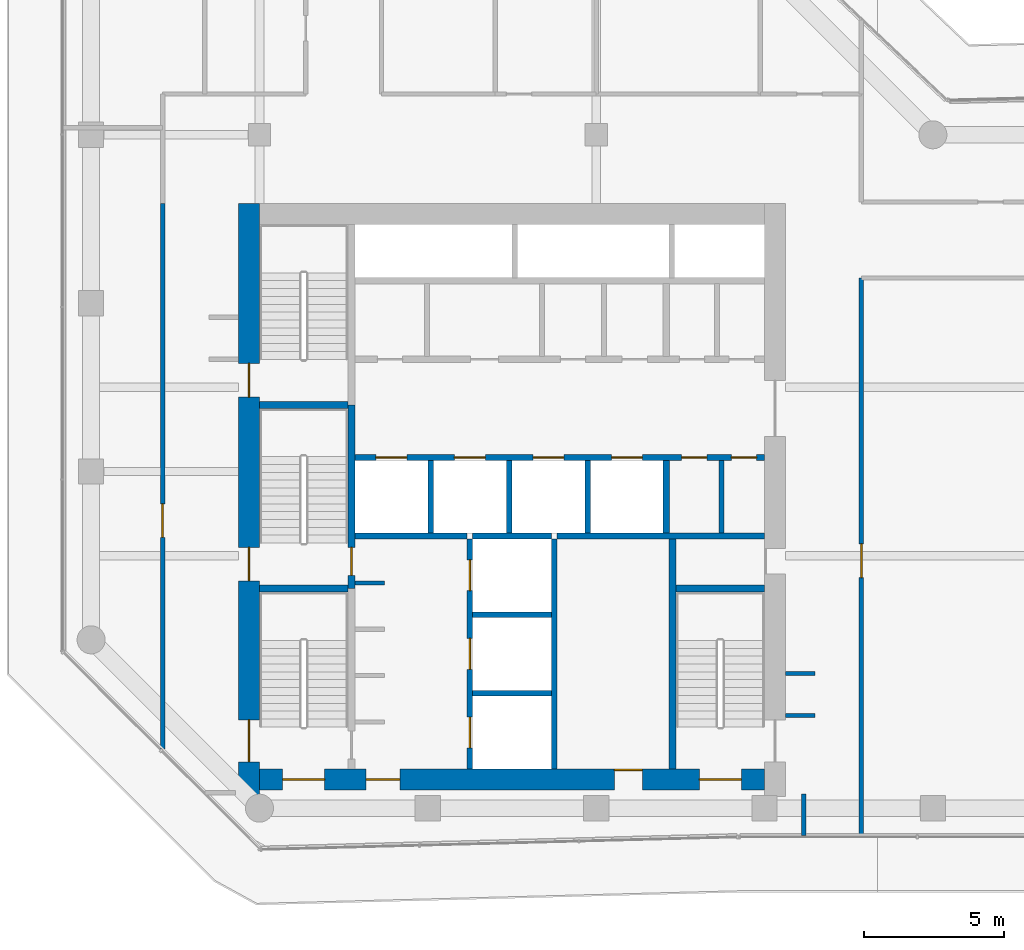
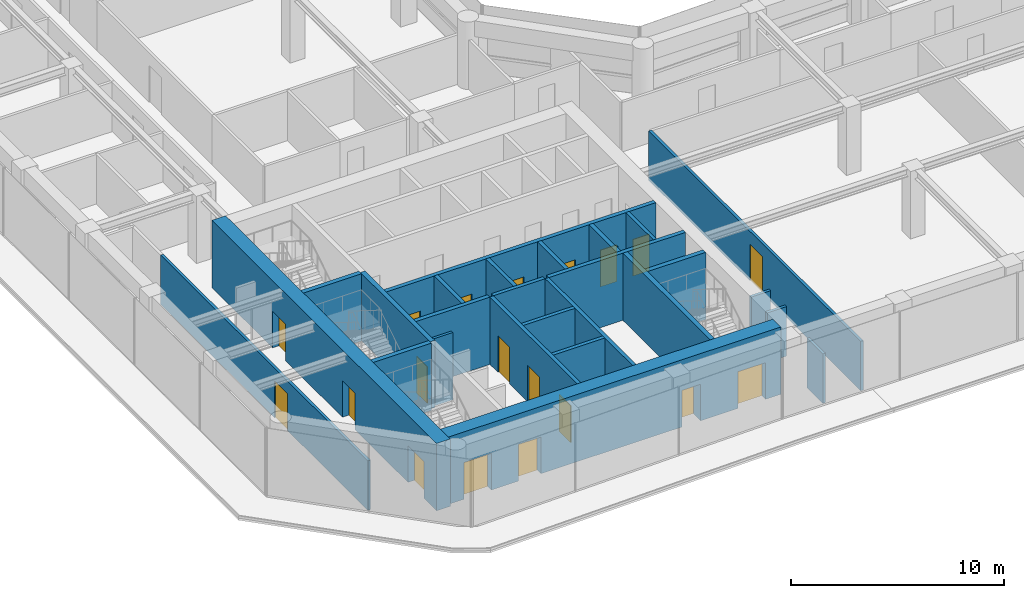
# One storey, part 18 of 23: 26 walls, 19 doors, 19 openings.
"""IFC4 building model written with IfcOpenShell, lengths in metres."""

from ifc_helpers import new_model, si_unit, direction, frame, frame_2d, origin, place, context, subcontext, project, spatial, rectangle, extrude, material, layer, layer_set, type_object, element, fill, save


model = new_model("IFC4")

# Units and contexts
model_context = context("Model", 3, precision=1e-05, world=origin(), true_north=direction((0.0, 1.0)))
body_context = subcontext(model_context, "Body", "Model", "MODEL_VIEW")
ifc_project = project(units=[si_unit("LENGTHUNIT", "METRE"), si_unit("AREAUNIT", "SQUARE_METRE"), si_unit("VOLUMEUNIT", "CUBIC_METRE"), si_unit("PLANEANGLEUNIT", "RADIAN"), si_unit("MASSUNIT", "GRAM", prefix="KILO")], contexts=[model_context])

# Site, building, storey
site_placement = place(None, origin())
site = spatial("IfcSite", under=ifc_project, at=site_placement, CompositionType="ELEMENT")
building_placement = place(site_placement, origin())
building = spatial("IfcBuilding", under=site, at=building_placement, Name="Welwitschia Terrace Campus", CompositionType="ELEMENT")
storey_placement = place(building_placement, frame((0.0, 0.0, 104.60009765625)))
storey = spatial("IfcBuildingStorey", under=building, at=storey_placement, Name="L23", CompositionType="ELEMENT", Elevation=104.60009765625)

# Walls
ifc_material_1 = material(Name="Concrete C32/40", Category="concrete")
ifc_layer_1 = layer(ifc_material_1, 0.175048828125)
ifc_layer_set_1 = layer_set([ifc_layer_1], Name="Concrete C32/40")
wall_type_1 = type_object("IfcWallType", Name="Core partition 175 Concrete C32/40", PredefinedType="PARTITIONING", material=ifc_layer_set_1)
wall_1_placement = place(storey_placement, frame((22.469970703125, 13.800048828125, 0.0), z_axis=(0.0, 0.0, 1.0), x_axis=(0.0, 1.0, 0.0)))
element("IfcWall", 1, at=wall_1_placement, inside=storey, type_object=wall_type_1, Name="Core partition", PredefinedType="PARTITIONING", context=body_context, shape_type="SweptSolid", body=[
    extrude(rectangle(XDim=2.599853515625, YDim=0.175048828125, at=frame_2d((1.2998046875, 0.0))), origin(), (0.0, 0.0, 1.0), 3.849853515625),
])
ifc_material_2 = material(Name="Concrete C32/40", Category="concrete")
ifc_layer_2 = layer(ifc_material_2, 0.22509765625)
ifc_layer_set_2 = layer_set([ifc_layer_2], Name="Concrete C32/40")
wall_type_2 = type_object("IfcWallType", Name="Core partition 225 Concrete C32/40", PredefinedType="PARTITIONING", material=ifc_layer_set_2)
wall_2_placement = place(storey_placement, frame((9.39990234375, 13.699951171875, 0.0), z_axis=(0.0, 0.0, 1.0), x_axis=(1.0, 0.0, 0.0)))
element("IfcWall", 2, at=wall_2_placement, inside=storey, type_object=wall_type_2, Name="Shaft wall", PredefinedType="PARTITIONING", context=body_context, shape_type="SweptSolid", body=[
    extrude(rectangle(XDim=4.0, YDim=0.22509765625, at=frame_2d((2.0, 0.0))), origin(), (0.0, 0.0, 1.0), 3.849853515625),
])
wall_3_placement = place(storey_placement, frame((16.60009765625, 13.699951171875, 0.0), z_axis=(0.0, 0.0, 1.0), x_axis=(1.0, 0.0, 0.0)))
element("IfcWall", 3, at=wall_3_placement, inside=storey, type_object=wall_type_2, Name="Shaft wall", PredefinedType="PARTITIONING", context=body_context, shape_type="SweptSolid", body=[
    extrude(rectangle(XDim=7.39990234375, YDim=0.22509765625, at=frame_2d((3.699951171875, 0.0))), origin(), (0.0, 0.0, 1.0), 3.849853515625),
])

# Wall, openings, doors
wall_4_placement = place(storey_placement, frame((9.39990234375, 16.5, 0.0), z_axis=(0.0, 0.0, 1.0), x_axis=(1.0, 0.0, 0.0)))
wall_4 = element("IfcWall", 4, at=wall_4_placement, inside=storey, type_object=wall_type_2, Name="Shaft wall", PredefinedType="PARTITIONING", context=body_context, shape_type="SweptSolid", body=[
    extrude(rectangle(XDim=14.60009765625, YDim=0.22509765625, at=frame_2d((7.300048828125, 0.0))), origin(), (0.0, 0.0, 1.0), 3.849853515625),
])
opening_1_placement = place(wall_4_placement, frame((0.75, 0.0, 0.0)))
opening_1 = element("IfcOpeningElement", 5, at=opening_1_placement, cuts=wall_4, Name="Opening LD", PredefinedType="OPENING", context=body_context, shape_type="SweptSolid", body=[
    extrude(rectangle(XDim=1.10009765625, YDim=2.10009765625, at=frame_2d((0.550048828125, 1.050048828125))), frame((0.0, 0.12255859375, 0.0), z_axis=(0.0, -1.0, 0.0), x_axis=(1.0, 0.0, 0.0)), (0.0, 0.0, 1.0), 0.2451171875),
])
opening_2_placement = place(wall_4_placement, frame((3.550048828125, 0.0, 0.0)))
opening_2 = element("IfcOpeningElement", 6, at=opening_2_placement, cuts=wall_4, Name="Opening LD", PredefinedType="OPENING", context=body_context, shape_type="SweptSolid", body=[
    extrude(rectangle(XDim=1.10009765625, YDim=2.10009765625, at=frame_2d((0.550048828125, 1.050048828125))), frame((0.0, 0.12255859375, 0.0), z_axis=(0.0, -1.0, 0.0), x_axis=(1.0, 0.0, 0.0)), (0.0, 0.0, 1.0), 0.2451171875),
])
opening_3_placement = place(wall_4_placement, frame((6.35009765625, 0.0, 0.0)))
opening_3 = element("IfcOpeningElement", 7, at=opening_3_placement, cuts=wall_4, Name="Opening LD", PredefinedType="OPENING", context=body_context, shape_type="SweptSolid", body=[
    extrude(rectangle(XDim=1.10009765625, YDim=2.10009765625, at=frame_2d((0.550048828125, 1.050048828125))), frame((0.0, 0.12255859375, 0.0), z_axis=(0.0, -1.0, 0.0), x_axis=(1.0, 0.0, 0.0)), (0.0, 0.0, 1.0), 0.2451171875),
])
opening_4_placement = place(wall_4_placement, frame((9.14990234375, 0.0, 0.0)))
opening_4 = element("IfcOpeningElement", 8, at=opening_4_placement, cuts=wall_4, Name="Opening LD", PredefinedType="OPENING", context=body_context, shape_type="SweptSolid", body=[
    extrude(rectangle(XDim=1.10009765625, YDim=2.10009765625, at=frame_2d((0.550048828125, 1.050048828125))), frame((0.0, 0.12255859375, 0.0), z_axis=(0.0, -1.0, 0.0), x_axis=(1.0, 0.0, 0.0)), (0.0, 0.0, 1.0), 0.2451171875),
])
opening_5_placement = place(wall_4_placement, frame((11.6474609375, 0.0, 0.0)))
opening_5 = element("IfcOpeningElement", 9, at=opening_5_placement, cuts=wall_4, Name="Opening DR09", PredefinedType="OPENING", context=body_context, shape_type="SweptSolid", body=[
    extrude(rectangle(XDim=0.89990234375, YDim=2.10009765625, at=frame_2d((0.449951171875, 1.050048828125))), frame((0.0, 0.12255859375, 0.0), z_axis=(0.0, -1.0, 0.0), x_axis=(1.0, 0.0, 0.0)), (0.0, 0.0, 1.0), 0.2451171875),
])
opening_6_placement = place(wall_4_placement, frame((13.422607421875, 0.0, 0.0)))
opening_6 = element("IfcOpeningElement", 10, at=opening_6_placement, cuts=wall_4, Name="Opening DR09", PredefinedType="OPENING", context=body_context, shape_type="SweptSolid", body=[
    extrude(rectangle(XDim=0.89990234375, YDim=2.10009765625, at=frame_2d((0.449951171875, 1.050048828125))), frame((0.0, 0.12255859375, 0.0), z_axis=(0.0, -1.0, 0.0), x_axis=(1.0, 0.0, 0.0)), (0.0, 0.0, 1.0), 0.2451171875),
])
ifc_material_3 = material(Name="Steel S275", Category="steel")
door_type_1 = type_object("IfcDoorType", Name="Core door DR09", OperationType="SINGLE_SWING_LEFT", PredefinedType="DOOR", material=ifc_material_3)
door_1_placement = place(opening_5_placement, origin())
door_1 = element("IfcDoor", 11, at=door_1_placement, inside=storey, type_object=door_type_1, Name="Door EL1-D", OperationType="SINGLE_SWING_RIGHT", OverallHeight=2.10009765625, OverallWidth=0.89990234375, PredefinedType="DOOR", context=body_context, shape_type="SweptSolid", body=[
    extrude(rectangle(XDim=0.89990234375, YDim=2.10009765625, at=frame_2d((0.449951171875, 1.050048828125))), frame((0.0, 0.02490234375, 0.0), z_axis=(0.0, -1.0, 0.0), x_axis=(1.0, 0.0, 0.0)), (0.0, 0.0, 1.0), 0.050048828125),
])
fill(opening_5, door_1)
door_2_placement = place(opening_6_placement, origin())
door_2 = element("IfcDoor", 12, at=door_2_placement, inside=storey, type_object=door_type_1, Name="Door EL2-D", OperationType="SINGLE_SWING_RIGHT", OverallHeight=2.10009765625, OverallWidth=0.89990234375, PredefinedType="DOOR", context=body_context, shape_type="SweptSolid", body=[
    extrude(rectangle(XDim=0.89990234375, YDim=2.10009765625, at=frame_2d((0.449951171875, 1.050048828125))), frame((0.0, 0.02490234375, 0.0), z_axis=(0.0, -1.0, 0.0), x_axis=(1.0, 0.0, 0.0)), (0.0, 0.0, 1.0), 0.050048828125),
])
fill(opening_6, door_2)
ifc_material_4 = material(Name="Stainless steel 304", Category="steel")
door_type_2 = type_object("IfcDoorType", Name="Lift landing door", OperationType="DOUBLE_DOOR_SLIDING", PredefinedType="DOOR", material=ifc_material_4)
door_3_placement = place(opening_1_placement, origin())
door_3 = element("IfcDoor", 13, at=door_3_placement, inside=storey, type_object=door_type_2, Name="Landing door LR1", OperationType="DOUBLE_DOOR_SLIDING", OverallHeight=2.10009765625, OverallWidth=1.10009765625, PredefinedType="DOOR", context=body_context, shape_type="SweptSolid", body=[
    extrude(rectangle(XDim=1.10009765625, YDim=2.10009765625, at=frame_2d((0.550048828125, 1.050048828125))), frame((0.0, 0.02490234375, 0.0), z_axis=(0.0, -1.0, 0.0), x_axis=(1.0, 0.0, 0.0)), (0.0, 0.0, 1.0), 0.050048828125),
])
fill(opening_1, door_3)
door_4_placement = place(opening_2_placement, origin())
door_4 = element("IfcDoor", 14, at=door_4_placement, inside=storey, type_object=door_type_2, Name="Landing door LR2", OperationType="DOUBLE_DOOR_SLIDING", OverallHeight=2.10009765625, OverallWidth=1.10009765625, PredefinedType="DOOR", context=body_context, shape_type="SweptSolid", body=[
    extrude(rectangle(XDim=1.10009765625, YDim=2.10009765625, at=frame_2d((0.550048828125, 1.050048828125))), frame((0.0, 0.02490234375, 0.0), z_axis=(0.0, -1.0, 0.0), x_axis=(1.0, 0.0, 0.0)), (0.0, 0.0, 1.0), 0.050048828125),
])
fill(opening_2, door_4)
door_5_placement = place(opening_3_placement, origin())
door_5 = element("IfcDoor", 15, at=door_5_placement, inside=storey, type_object=door_type_2, Name="Landing door LR3", OperationType="DOUBLE_DOOR_SLIDING", OverallHeight=2.10009765625, OverallWidth=1.10009765625, PredefinedType="DOOR", context=body_context, shape_type="SweptSolid", body=[
    extrude(rectangle(XDim=1.10009765625, YDim=2.10009765625, at=frame_2d((0.550048828125, 1.050048828125))), frame((0.0, 0.02490234375, 0.0), z_axis=(0.0, -1.0, 0.0), x_axis=(1.0, 0.0, 0.0)), (0.0, 0.0, 1.0), 0.050048828125),
])
fill(opening_3, door_5)
door_6_placement = place(opening_4_placement, origin())
door_6 = element("IfcDoor", 16, at=door_6_placement, inside=storey, type_object=door_type_2, Name="Landing door LR4", OperationType="DOUBLE_DOOR_SLIDING", OverallHeight=2.10009765625, OverallWidth=1.10009765625, PredefinedType="DOOR", context=body_context, shape_type="SweptSolid", body=[
    extrude(rectangle(XDim=1.10009765625, YDim=2.10009765625, at=frame_2d((0.550048828125, 1.050048828125))), frame((0.0, 0.02490234375, 0.0), z_axis=(0.0, -1.0, 0.0), x_axis=(1.0, 0.0, 0.0)), (0.0, 0.0, 1.0), 0.050048828125),
])
fill(opening_4, door_6)

# Walls
wall_5_placement = place(storey_placement, frame((20.5, 13.800048828125, 0.0), z_axis=(0.0, 0.0, 1.0), x_axis=(0.0, 1.0, 0.0)))
element("IfcWall", 17, at=wall_5_placement, inside=storey, type_object=wall_type_2, Name="Shaft wall", PredefinedType="PARTITIONING", context=body_context, shape_type="SweptSolid", body=[
    extrude(rectangle(XDim=2.599853515625, YDim=0.22509765625, at=frame_2d((1.2998046875, 0.0))), origin(), (0.0, 0.0, 1.0), 3.849853515625),
])
ifc_material_5 = material(Name="Concrete C50/60", Category="concrete")
ifc_layer_3 = layer(ifc_material_5, 0.14990234375)
ifc_layer_set_3 = layer_set([ifc_layer_3], Name="Concrete C50/60")
wall_type_3 = type_object("IfcWallType", Name="Core wall 150 Concrete C50/60", PredefinedType="SHEAR", material=ifc_layer_set_3)
wall_6_placement = place(storey_placement, frame((9.39990234375, 12.02490234375, 0.0), z_axis=(0.0, 0.0, 1.0), x_axis=(1.0, 0.0, 0.0)))
element("IfcWall", 18, at=wall_6_placement, inside=storey, type_object=wall_type_3, Name="Core wall", PredefinedType="SHEAR", context=body_context, shape_type="SweptSolid", body=[
    extrude(rectangle(XDim=1.050048828125, YDim=0.14990234375, at=frame_2d((0.52490234375, 0.0))), origin(), (0.0, 0.0, 1.0), 3.849853515625),
])
ifc_material_6 = material(Name="Concrete C50/60", Category="concrete")
ifc_layer_4 = layer(ifc_material_6, 0.199951171875)
ifc_layer_set_4 = layer_set([ifc_layer_4], Name="Concrete C50/60")
wall_type_4 = type_object("IfcWallType", Name="Core wall 200 Concrete C50/60", PredefinedType="SHEAR", material=ifc_layer_set_4)
for number, where, z_axis, x_axis, name in (
    (19, (13.60009765625, 8.10009765625, 0.0), (0.0, 0.0, 1.0), (1.0, 0.0, 0.0), "Core wall"),
    (20, (13.60009765625, 10.89990234375, 0.0), (0.0, 0.0, 1.0), (1.0, 0.0, 0.0), "Core wall"),
    (21, (13.60009765625, 13.699951171875, 0.0), (0.0, 0.0, 1.0), (1.0, 0.0, 0.0), "Core wall"),
):
    element("IfcWall", number, at=place(storey_placement, frame(where, z_axis=z_axis, x_axis=x_axis)), inside=storey, type_object=wall_type_4, Name=name, PredefinedType="SHEAR", context=body_context, shape_type="SweptSolid", body=[
        extrude(rectangle(XDim=2.7998046875, YDim=0.199951171875, at=frame_2d((1.39990234375, 0.0))), origin(), (0.0, 0.0, 1.0), 3.849853515625),
    ])

# Wall, openings, doors
wall_7_placement = place(storey_placement, frame((13.5, 5.39990234375, 0.0), z_axis=(0.0, 0.0, 1.0), x_axis=(0.0, 1.0, 0.0)))
wall_7 = element("IfcWall", 22, at=wall_7_placement, inside=storey, type_object=wall_type_4, Name="Core wall", PredefinedType="SHEAR", context=body_context, shape_type="SweptSolid", body=[
    extrude(rectangle(XDim=8.2001953125, YDim=0.199951171875, at=frame_2d((4.10009765625, 0.0))), origin(), (0.0, 0.0, 1.0), 3.849853515625),
])
opening_7_placement = place(wall_7_placement, frame((0.75, 0.0, 0.0)))
opening_7 = element("IfcOpeningElement", 23, at=opening_7_placement, cuts=wall_7, Name="Opening LD", PredefinedType="OPENING", context=body_context, shape_type="SweptSolid", body=[
    extrude(rectangle(XDim=1.10009765625, YDim=2.10009765625, at=frame_2d((0.550048828125, 1.050048828125))), frame((0.0, 0.10986328125, 0.0), z_axis=(0.0, -1.0, 0.0), x_axis=(1.0, 0.0, 0.0)), (0.0, 0.0, 1.0), 0.219970703125),
])
opening_8_placement = place(wall_7_placement, frame((3.550048828125, 0.0, 0.0)))
opening_8 = element("IfcOpeningElement", 24, at=opening_8_placement, cuts=wall_7, Name="Opening LD", PredefinedType="OPENING", context=body_context, shape_type="SweptSolid", body=[
    extrude(rectangle(XDim=1.10009765625, YDim=2.10009765625, at=frame_2d((0.550048828125, 1.050048828125))), frame((0.0, 0.10986328125, 0.0), z_axis=(0.0, -1.0, 0.0), x_axis=(1.0, 0.0, 0.0)), (0.0, 0.0, 1.0), 0.219970703125),
])
opening_9_placement = place(wall_7_placement, frame((6.35009765625, 0.0, 0.0)))
opening_9 = element("IfcOpeningElement", 25, at=opening_9_placement, cuts=wall_7, Name="Opening LD", PredefinedType="OPENING", context=body_context, shape_type="SweptSolid", body=[
    extrude(rectangle(XDim=1.10009765625, YDim=2.10009765625, at=frame_2d((0.550048828125, 1.050048828125))), frame((0.0, 0.10986328125, 0.0), z_axis=(0.0, -1.0, 0.0), x_axis=(1.0, 0.0, 0.0)), (0.0, 0.0, 1.0), 0.219970703125),
])
door_7_placement = place(opening_7_placement, origin())
door_7 = element("IfcDoor", 26, at=door_7_placement, inside=storey, type_object=door_type_2, Name="Landing door FF1", OperationType="DOUBLE_DOOR_SLIDING", OverallHeight=2.10009765625, OverallWidth=1.10009765625, PredefinedType="DOOR", context=body_context, shape_type="SweptSolid", body=[
    extrude(rectangle(XDim=1.10009765625, YDim=2.10009765625, at=frame_2d((0.550048828125, 1.050048828125))), frame((0.0, 0.02490234375, 0.0), z_axis=(0.0, -1.0, 0.0), x_axis=(1.0, 0.0, 0.0)), (0.0, 0.0, 1.0), 0.050048828125),
])
fill(opening_7, door_7)
door_8_placement = place(opening_8_placement, origin())
door_8 = element("IfcDoor", 27, at=door_8_placement, inside=storey, type_object=door_type_2, Name="Landing door FF2", OperationType="DOUBLE_DOOR_SLIDING", OverallHeight=2.10009765625, OverallWidth=1.10009765625, PredefinedType="DOOR", context=body_context, shape_type="SweptSolid", body=[
    extrude(rectangle(XDim=1.10009765625, YDim=2.10009765625, at=frame_2d((0.550048828125, 1.050048828125))), frame((0.0, 0.02490234375, 0.0), z_axis=(0.0, -1.0, 0.0), x_axis=(1.0, 0.0, 0.0)), (0.0, 0.0, 1.0), 0.050048828125),
])
fill(opening_8, door_8)
door_9_placement = place(opening_9_placement, origin())
door_9 = element("IfcDoor", 28, at=door_9_placement, inside=storey, type_object=door_type_2, Name="Landing door SV1", OperationType="DOUBLE_DOOR_SLIDING", OverallHeight=2.10009765625, OverallWidth=1.10009765625, PredefinedType="DOOR", context=body_context, shape_type="SweptSolid", body=[
    extrude(rectangle(XDim=1.10009765625, YDim=2.10009765625, at=frame_2d((0.550048828125, 1.050048828125))), frame((0.0, 0.02490234375, 0.0), z_axis=(0.0, -1.0, 0.0), x_axis=(1.0, 0.0, 0.0)), (0.0, 0.0, 1.0), 0.050048828125),
])
fill(opening_9, door_9)

# Walls
wall_8_placement = place(storey_placement, frame((16.5, 5.39990234375, 0.0), z_axis=(0.0, 0.0, 1.0), x_axis=(0.0, 1.0, 0.0)))
element("IfcWall", 29, at=wall_8_placement, inside=storey, type_object=wall_type_4, Name="Core wall", PredefinedType="SHEAR", context=body_context, shape_type="SweptSolid", body=[
    extrude(rectangle(XDim=8.2001953125, YDim=0.199951171875, at=frame_2d((4.10009765625, 0.0))), origin(), (0.0, 0.0, 1.0), 3.849853515625),
])
ifc_material_7 = material(Name="Concrete C50/60", Category="concrete")
ifc_layer_5 = layer(ifc_material_7, 0.25)
ifc_layer_set_5 = layer_set([ifc_layer_5], Name="Concrete C50/60")
wall_type_5 = type_object("IfcWallType", Name="Core wall 250 Concrete C50/60", PredefinedType="SHEAR", material=ifc_layer_set_5)
for number, where, z_axis, x_axis, name in (
    (30, (6.0, 11.824951171875, 0.0), (0.0, 0.0, 1.0), (1.0, 0.0, 0.0), "Core wall"),
    (31, (20.85009765625, 11.824951171875, 0.0), (0.0, 0.0, 1.0), (1.0, 0.0, 0.0), "Core wall"),
    (32, (6.0, 18.375, 0.0), (0.0, 0.0, 1.0), (1.0, 0.0, 0.0), "Core wall"),
):
    element("IfcWall", number, at=place(storey_placement, frame(where, z_axis=z_axis, x_axis=x_axis)), inside=storey, type_object=wall_type_5, Name=name, PredefinedType="SHEAR", context=body_context, shape_type="SweptSolid", body=[
        extrude(rectangle(XDim=3.14990234375, YDim=0.25, at=frame_2d((1.574951171875, 0.0))), origin(), (0.0, 0.0, 1.0), 3.849853515625),
    ])

# Wall, opening, door
wall_9_placement = place(storey_placement, frame((9.27490234375, 18.375, 0.0), z_axis=(0.0, 0.0, 1.0), x_axis=(0.0, -1.0, 0.0)))
wall_9 = element("IfcWall", 33, at=wall_9_placement, inside=storey, type_object=wall_type_5, Name="Core wall", PredefinedType="SHEAR", context=body_context, shape_type="SweptSolid", body=[
    extrude(rectangle(XDim=6.550048828125, YDim=0.25, at=frame_2d((3.27490234375, 0.0))), origin(), (0.0, 0.0, 1.0), 3.849853515625),
])
opening_10_placement = place(wall_9_placement, frame((5.074951171875, 0.0, 0.0)))
opening_10 = element("IfcOpeningElement", 34, at=opening_10_placement, cuts=wall_9, Name="Opening DS10", PredefinedType="OPENING", context=body_context, shape_type="SweptSolid", body=[
    extrude(rectangle(XDim=1.0, YDim=2.10009765625, at=frame_2d((0.5, 1.050048828125))), frame((0.0, 0.135009765625, 0.0), z_axis=(0.0, -1.0, 0.0), x_axis=(1.0, 0.0, 0.0)), (0.0, 0.0, 1.0), 0.27001953125),
])
ifc_material_8 = material(Name="Steel S275", Category="steel")
door_type_3 = type_object("IfcDoorType", Name="Core door DS10", OperationType="SINGLE_SWING_LEFT", PredefinedType="DOOR", material=ifc_material_8)
door_10_placement = place(opening_10_placement, origin())
door_10 = element("IfcDoor", 35, at=door_10_placement, inside=storey, type_object=door_type_3, Name="Door S3-FL", OperationType="SINGLE_SWING_RIGHT", OverallHeight=2.10009765625, OverallWidth=1.0, PredefinedType="DOOR", context=body_context, shape_type="SweptSolid", body=[
    extrude(rectangle(XDim=1.0, YDim=2.10009765625, at=frame_2d((0.5, 1.050048828125))), frame((0.0, 0.02490234375, 0.0), z_axis=(0.0, -1.0, 0.0), x_axis=(1.0, 0.0, 0.0)), (0.0, 0.0, 1.0), 0.050048828125),
])
fill(opening_10, door_10)

# Wall
wall_10_placement = place(storey_placement, frame((20.72509765625, 5.39990234375, 0.0), z_axis=(0.0, 0.0, 1.0), x_axis=(0.0, 1.0, 0.0)))
element("IfcWall", 36, at=wall_10_placement, inside=storey, type_object=wall_type_5, Name="Core wall", PredefinedType="SHEAR", context=body_context, shape_type="SweptSolid", body=[
    extrude(rectangle(XDim=8.2001953125, YDim=0.25, at=frame_2d((4.10009765625, 0.0))), origin(), (0.0, 0.0, 1.0), 3.849853515625),
])

# Wall, openings, doors
ifc_material_9 = material(Name="Concrete C70/85", Category="concrete")
ifc_layer_6 = layer(ifc_material_9, 0.75)
ifc_layer_set_6 = layer_set([ifc_layer_6], Name="Concrete C70/85")
wall_type_6 = type_object("IfcWallType", Name="Core wall 750 Concrete C70/85", PredefinedType="SHEAR", material=ifc_layer_set_6)
wall_11_placement = place(storey_placement, frame((5.625, 4.469970703125, 0.0), z_axis=(0.0, 0.0, 1.0), x_axis=(0.0, 1.0, 0.0)))
wall_11 = element("IfcWall", 37, at=wall_11_placement, inside=storey, type_object=wall_type_6, Name="Core outer wall", PredefinedType="SHEAR", context=body_context, shape_type="SweptSolid", body=[
    extrude(rectangle(XDim=21.080078125, YDim=0.75, at=frame_2d((10.5400390625, 0.0))), origin(), (0.0, 0.0, 1.0), 3.849853515625),
])
opening_11_placement = place(wall_11_placement, frame((1.179931640625, 0.0, 0.0)))
opening_11 = element("IfcOpeningElement", 38, at=opening_11_placement, cuts=wall_11, Name="Opening DS15", PredefinedType="OPENING", context=body_context, shape_type="SweptSolid", body=[
    extrude(rectangle(XDim=1.5, YDim=2.10009765625, at=frame_2d((0.75, 1.050048828125))), frame((0.0, 0.385009765625, 0.0), z_axis=(0.0, -1.0, 0.0), x_axis=(1.0, 0.0, 0.0)), (0.0, 0.0, 1.0), 0.77001953125),
])
opening_12_placement = place(wall_11_placement, frame((7.6298828125, 0.0, 0.0)))
opening_12 = element("IfcOpeningElement", 39, at=opening_12_placement, cuts=wall_11, Name="Opening DS12", PredefinedType="OPENING", context=body_context, shape_type="SweptSolid", body=[
    extrude(rectangle(XDim=1.199951171875, YDim=2.10009765625, at=frame_2d((0.60009765625, 1.050048828125))), frame((0.0, 0.385009765625, 0.0), z_axis=(0.0, -1.0, 0.0), x_axis=(1.0, 0.0, 0.0)), (0.0, 0.0, 1.0), 0.77001953125),
])
opening_13_placement = place(wall_11_placement, frame((14.179931640625, 0.0, 0.0)))
opening_13 = element("IfcOpeningElement", 40, at=opening_13_placement, cuts=wall_11, Name="Opening DS12", PredefinedType="OPENING", context=body_context, shape_type="SweptSolid", body=[
    extrude(rectangle(XDim=1.199951171875, YDim=2.10009765625, at=frame_2d((0.60009765625, 1.050048828125))), frame((0.0, 0.385009765625, 0.0), z_axis=(0.0, -1.0, 0.0), x_axis=(1.0, 0.0, 0.0)), (0.0, 0.0, 1.0), 0.77001953125),
])
ifc_material_10 = material(Name="Steel S275", Category="steel")
door_type_4 = type_object("IfcDoorType", Name="Core door DS12", OperationType="SINGLE_SWING_LEFT", PredefinedType="DOOR", material=ifc_material_10)
door_11_placement = place(opening_12_placement, origin())
door_11 = element("IfcDoor", 41, at=door_11_placement, inside=storey, type_object=door_type_4, Name="Door S3-out", OperationType="SINGLE_SWING_LEFT", OverallHeight=2.10009765625, OverallWidth=1.199951171875, PredefinedType="DOOR", context=body_context, shape_type="SweptSolid", body=[
    extrude(rectangle(XDim=1.199951171875, YDim=2.10009765625, at=frame_2d((0.60009765625, 1.050048828125))), frame((0.0, 0.02490234375, 0.0), z_axis=(0.0, -1.0, 0.0), x_axis=(1.0, 0.0, 0.0)), (0.0, 0.0, 1.0), 0.050048828125),
])
fill(opening_12, door_11)
door_12_placement = place(opening_13_placement, origin())
door_12 = element("IfcDoor", 42, at=door_12_placement, inside=storey, type_object=door_type_4, Name="Door S4-out", OperationType="SINGLE_SWING_RIGHT", OverallHeight=2.10009765625, OverallWidth=1.199951171875, PredefinedType="DOOR", context=body_context, shape_type="SweptSolid", body=[
    extrude(rectangle(XDim=1.199951171875, YDim=2.10009765625, at=frame_2d((0.60009765625, 1.050048828125))), frame((0.0, 0.02490234375, 0.0), z_axis=(0.0, -1.0, 0.0), x_axis=(1.0, 0.0, 0.0)), (0.0, 0.0, 1.0), 0.050048828125),
])
fill(opening_13, door_12)
ifc_material_11 = material(Name="Steel S275", Category="steel")
door_type_5 = type_object("IfcDoorType", Name="Core door DS15", OperationType="DOUBLE_DOOR_SINGLE_SWING", PredefinedType="DOOR", material=ifc_material_11)
door_13_placement = place(opening_11_placement, origin())
door_13 = element("IfcDoor", 43, at=door_13_placement, inside=storey, type_object=door_type_5, Name="Door S1-out", OperationType="DOUBLE_DOOR_SINGLE_SWING", OverallHeight=2.10009765625, OverallWidth=1.5, PredefinedType="DOOR", context=body_context, shape_type="SweptSolid", body=[
    extrude(rectangle(XDim=1.5, YDim=2.10009765625, at=frame_2d((0.75, 1.050048828125))), frame((0.0, 0.02490234375, 0.0), z_axis=(0.0, -1.0, 0.0), x_axis=(1.0, 0.0, 0.0)), (0.0, 0.0, 1.0), 0.050048828125),
])
fill(opening_11, door_13)

wall_12_placement = place(storey_placement, frame((24.0, 5.02490234375, 0.0), z_axis=(0.0, 0.0, 1.0), x_axis=(-1.0, 0.0, 0.0)))
wall_12 = element("IfcWall", 44, at=wall_12_placement, inside=storey, type_object=wall_type_6, Name="Core outer wall", PredefinedType="SHEAR", context=body_context, shape_type="SweptSolid", body=[
    extrude(rectangle(XDim=18.0, YDim=0.75, at=frame_2d((9.0, 0.0))), origin(), (0.0, 0.0, 1.0), 3.849853515625),
])
opening_14_placement = place(wall_12_placement, frame((0.824951171875, 0.0, 0.0)))
opening_14 = element("IfcOpeningElement", 45, at=opening_14_placement, cuts=wall_12, Name="Opening DS15", PredefinedType="OPENING", context=body_context, shape_type="SweptSolid", body=[
    extrude(rectangle(XDim=1.5, YDim=2.10009765625, at=frame_2d((0.75, 1.050048828125))), frame((0.0, 0.385009765625, 0.0), z_axis=(0.0, -1.0, 0.0), x_axis=(1.0, 0.0, 0.0)), (0.0, 0.0, 1.0), 0.77001953125),
])
opening_15_placement = place(wall_12_placement, frame((15.675048828125, 0.0, 0.0)))
opening_15 = element("IfcOpeningElement", 46, at=opening_15_placement, cuts=wall_12, Name="Opening DS15", PredefinedType="OPENING", context=body_context, shape_type="SweptSolid", body=[
    extrude(rectangle(XDim=1.5, YDim=2.10009765625, at=frame_2d((0.75, 1.050048828125))), frame((0.0, 0.385009765625, 0.0), z_axis=(0.0, -1.0, 0.0), x_axis=(1.0, 0.0, 0.0)), (0.0, 0.0, 1.0), 0.77001953125),
])
opening_16_placement = place(wall_12_placement, frame((13.0, 0.0, 0.0)))
opening_16 = element("IfcOpeningElement", 47, at=opening_16_placement, cuts=wall_12, Name="Opening DF12", PredefinedType="OPENING", context=body_context, shape_type="SweptSolid", body=[
    extrude(rectangle(XDim=1.199951171875, YDim=2.10009765625, at=frame_2d((0.60009765625, 1.050048828125))), frame((0.0, 0.385009765625, 0.0), z_axis=(0.0, -1.0, 0.0), x_axis=(1.0, 0.0, 0.0)), (0.0, 0.0, 1.0), 0.77001953125),
])
opening_17_placement = place(wall_12_placement, frame((4.35009765625, 0.0, 0.0)))
opening_17 = element("IfcOpeningElement", 48, at=opening_17_placement, cuts=wall_12, Name="Opening DR10", PredefinedType="OPENING", context=body_context, shape_type="SweptSolid", body=[
    extrude(rectangle(XDim=1.0, YDim=2.10009765625, at=frame_2d((0.5, 1.050048828125))), frame((0.0, 0.385009765625, 0.0), z_axis=(0.0, -1.0, 0.0), x_axis=(1.0, 0.0, 0.0)), (0.0, 0.0, 1.0), 0.77001953125),
])
ifc_material_12 = material(Name="Steel S275", Category="steel")
door_type_6 = type_object("IfcDoorType", Name="Core door DF12", OperationType="SINGLE_SWING_LEFT", PredefinedType="DOOR", material=ifc_material_12)
door_14_placement = place(opening_16_placement, origin())
door_14 = element("IfcDoor", 49, at=door_14_placement, inside=storey, type_object=door_type_6, Name="Door FL-out", OperationType="SINGLE_SWING_RIGHT", OverallHeight=2.10009765625, OverallWidth=1.199951171875, PredefinedType="DOOR", context=body_context, shape_type="SweptSolid", body=[
    extrude(rectangle(XDim=1.199951171875, YDim=2.10009765625, at=frame_2d((0.60009765625, 1.050048828125))), frame((0.0, 0.02490234375, 0.0), z_axis=(0.0, -1.0, 0.0), x_axis=(1.0, 0.0, 0.0)), (0.0, 0.0, 1.0), 0.050048828125),
])
fill(opening_16, door_14)
ifc_material_13 = material(Name="Steel S275", Category="steel")
door_type_7 = type_object("IfcDoorType", Name="Core door DR10", OperationType="SINGLE_SWING_LEFT", PredefinedType="DOOR", material=ifc_material_13)
door_15_placement = place(opening_17_placement, origin())
door_15 = element("IfcDoor", 50, at=door_15_placement, inside=storey, type_object=door_type_7, Name="Door F1-out", OperationType="SINGLE_SWING_LEFT", OverallHeight=2.10009765625, OverallWidth=1.0, PredefinedType="DOOR", context=body_context, shape_type="SweptSolid", body=[
    extrude(rectangle(XDim=1.0, YDim=2.10009765625, at=frame_2d((0.5, 1.050048828125))), frame((0.0, -0.31494140625, 0.0), z_axis=(0.0, -1.0, 0.0), x_axis=(1.0, 0.0, 0.0)), (0.0, 0.0, 1.0), 0.050048828125),
])
fill(opening_17, door_15)
door_16_placement = place(opening_14_placement, origin())
door_16 = element("IfcDoor", 51, at=door_16_placement, inside=storey, type_object=door_type_5, Name="Door S2-outS", OperationType="DOUBLE_DOOR_SINGLE_SWING", OverallHeight=2.10009765625, OverallWidth=1.5, PredefinedType="DOOR", context=body_context, shape_type="SweptSolid", body=[
    extrude(rectangle(XDim=1.5, YDim=2.10009765625, at=frame_2d((0.75, 1.050048828125))), frame((0.0, 0.02490234375, 0.0), z_axis=(0.0, -1.0, 0.0), x_axis=(1.0, 0.0, 0.0)), (0.0, 0.0, 1.0), 0.050048828125),
])
fill(opening_14, door_16)
door_17_placement = place(opening_15_placement, origin())
door_17 = element("IfcDoor", 52, at=door_17_placement, inside=storey, type_object=door_type_5, Name="Door S1-outS", OperationType="DOUBLE_DOOR_SINGLE_SWING", OverallHeight=2.10009765625, OverallWidth=1.5, PredefinedType="DOOR", context=body_context, shape_type="SweptSolid", body=[
    extrude(rectangle(XDim=1.5, YDim=2.10009765625, at=frame_2d((0.75, 1.050048828125))), frame((0.0, 0.02490234375, 0.0), z_axis=(0.0, -1.0, 0.0), x_axis=(1.0, 0.0, 0.0)), (0.0, 0.0, 1.0), 0.050048828125),
])
fill(opening_15, door_17)

# Wall, opening, door
ifc_material_14 = material(Name="Gypsum board on steel studs", Category="steel")
ifc_layer_7 = layer(ifc_material_14, 0.14990234375)
ifc_layer_set_7 = layer_set([ifc_layer_7], Name="Gypsum board on steel studs")
wall_type_7 = type_object("IfcWallType", Name="Corridor partition 150 EI 30", PredefinedType="PARTITIONING", material=ifc_layer_set_7)
wall_13_placement = place(storey_placement, frame((2.550048828125, 6.11328125, 0.0), z_axis=(0.0, 0.0, 1.0), x_axis=(0.0, 1.0, 0.0)))
wall_13 = element("IfcWall", 53, at=wall_13_placement, inside=storey, type_object=wall_type_7, Name="Partition", PredefinedType="PARTITIONING", context=body_context, shape_type="SweptSolid", body=[
    extrude(rectangle(XDim=19.436767578125, YDim=0.14990234375, at=frame_2d((9.71826171875, 0.0))), origin(), (0.0, 0.0, 1.0), 2.829833984375),
])
opening_18_placement = place(wall_13_placement, frame((7.53662109375, 0.0, 0.0)))
opening_18 = element("IfcOpeningElement", 54, at=opening_18_placement, cuts=wall_13, Name="Opening DI12", PredefinedType="OPENING", context=body_context, shape_type="SweptSolid", body=[
    extrude(rectangle(XDim=1.199951171875, YDim=2.10009765625, at=frame_2d((0.60009765625, 1.050048828125))), frame((0.0, 0.0849609375, 0.0), z_axis=(0.0, -1.0, 0.0), x_axis=(1.0, 0.0, 0.0)), (0.0, 0.0, 1.0), 0.169921875),
])
ifc_material_15 = material(Name="Timber veneered door", Category="wood")
door_type_8 = type_object("IfcDoorType", Name="Interior door DI12", OperationType="NOTDEFINED", PredefinedType="DOOR", material=ifc_material_15)
door_18_placement = place(opening_18_placement, origin())
door_18 = element("IfcDoor", 55, at=door_18_placement, inside=storey, type_object=door_type_8, Name="Door L23 500", OperationType="SINGLE_SWING_LEFT", OverallHeight=2.10009765625, OverallWidth=1.199951171875, PredefinedType="DOOR", context=body_context, shape_type="SweptSolid", body=[
    extrude(rectangle(XDim=1.199951171875, YDim=2.10009765625, at=frame_2d((0.60009765625, 1.050048828125))), frame((0.0, 0.02490234375, 0.0), z_axis=(0.0, -1.0, 0.0), x_axis=(1.0, 0.0, 0.0)), (0.0, 0.0, 1.0), 0.050048828125),
])
fill(opening_18, door_18)

# Walls
for number, where, z_axis, x_axis, name in (
    (56, (24.75, 7.300048828125, 0.0), (0.0, 0.0, 1.0), (1.0, 0.0, 0.0), "Partition"),
    (57, (24.75, 8.800048828125, 0.0), (0.0, 0.0, 1.0), (1.0, 0.0, 0.0), "Partition"),
):
    element("IfcWall", number, at=place(storey_placement, frame(where, z_axis=z_axis, x_axis=x_axis)), inside=storey, type_object=wall_type_7, Name=name, PredefinedType="PARTITIONING", context=body_context, shape_type="SweptSolid", body=[
        extrude(rectangle(XDim=1.050048828125, YDim=0.14990234375, at=frame_2d((0.52490234375, 0.0))), origin(), (0.0, 0.0, 1.0), 2.829833984375),
    ])
wall_14_placement = place(storey_placement, frame((25.39990234375, 3.02001953125, 0.0), z_axis=(0.0, 0.0, 1.0), x_axis=(0.0, 1.0, 0.0)))
element("IfcWall", 58, at=wall_14_placement, inside=storey, type_object=wall_type_7, Name="Partition", PredefinedType="PARTITIONING", context=body_context, shape_type="SweptSolid", body=[
    extrude(rectangle(XDim=1.47998046875, YDim=0.14990234375, at=frame_2d((0.739990234375, 0.0))), origin(), (0.0, 0.0, 1.0), 2.829833984375),
])

# Wall, opening, door
wall_15_placement = place(storey_placement, frame((27.449951171875, 22.89990234375, 0.0), z_axis=(0.0, 0.0, 1.0), x_axis=(0.0, -1.0, 0.0)))
wall_15 = element("IfcWall", 59, at=wall_15_placement, inside=storey, type_object=wall_type_7, Name="Partition", PredefinedType="PARTITIONING", context=body_context, shape_type="SweptSolid", body=[
    extrude(rectangle(XDim=19.8798828125, YDim=0.14990234375, at=frame_2d((9.93994140625, 0.0))), origin(), (0.0, 0.0, 1.0), 2.829833984375),
])
opening_19_placement = place(wall_15_placement, frame((9.47998046875, 0.0, 0.0)))
opening_19 = element("IfcOpeningElement", 60, at=opening_19_placement, cuts=wall_15, Name="Opening DI12", PredefinedType="OPENING", context=body_context, shape_type="SweptSolid", body=[
    extrude(rectangle(XDim=1.199951171875, YDim=2.10009765625, at=frame_2d((0.60009765625, 1.050048828125))), frame((0.0, 0.0849609375, 0.0), z_axis=(0.0, -1.0, 0.0), x_axis=(1.0, 0.0, 0.0)), (0.0, 0.0, 1.0), 0.169921875),
])
door_19_placement = place(opening_19_placement, origin())
door_19 = element("IfcDoor", 61, at=door_19_placement, inside=storey, type_object=door_type_8, Name="Door L23 514", OperationType="SINGLE_SWING_LEFT", OverallHeight=2.10009765625, OverallWidth=1.199951171875, PredefinedType="DOOR", context=body_context, shape_type="SweptSolid", body=[
    extrude(rectangle(XDim=1.199951171875, YDim=2.10009765625, at=frame_2d((0.60009765625, 1.050048828125))), frame((0.0, 0.02490234375, 0.0), z_axis=(0.0, -1.0, 0.0), x_axis=(1.0, 0.0, 0.0)), (0.0, 0.0, 1.0), 0.050048828125),
])
fill(opening_19, door_19)

# Walls
ifc_material_16 = material(Name="Concrete C32/40", Category="concrete")
ifc_layer_8 = layer(ifc_material_16, 0.199951171875)
ifc_layer_set_8 = layer_set([ifc_layer_8], Name="Concrete C32/40")
wall_type_8 = type_object("IfcWallType", Name="Shaft wall 200 Concrete C32/40", PredefinedType="SOLIDWALL", material=ifc_layer_set_8)
for number, where, z_axis, x_axis, name in (
    (62, (12.10009765625, 13.800048828125, 0.0), (0.0, 0.0, 1.0), (0.0, 1.0, 0.0), "Shaft wall"),
    (63, (14.89990234375, 13.800048828125, 0.0), (0.0, 0.0, 1.0), (0.0, 1.0, 0.0), "Shaft wall"),
    (64, (17.699951171875, 13.800048828125, 0.0), (0.0, 0.0, 1.0), (0.0, 1.0, 0.0), "Shaft wall"),
):
    element("IfcWall", number, at=place(storey_placement, frame(where, z_axis=z_axis, x_axis=x_axis)), inside=storey, type_object=wall_type_8, Name=name, PredefinedType="SOLIDWALL", context=body_context, shape_type="SweptSolid", body=[
        extrude(rectangle(XDim=2.599853515625, YDim=0.199951171875, at=frame_2d((1.2998046875, 0.0))), origin(), (0.0, 0.0, 1.0), 3.849853515625),
    ])

save(model, "model.ifc")
